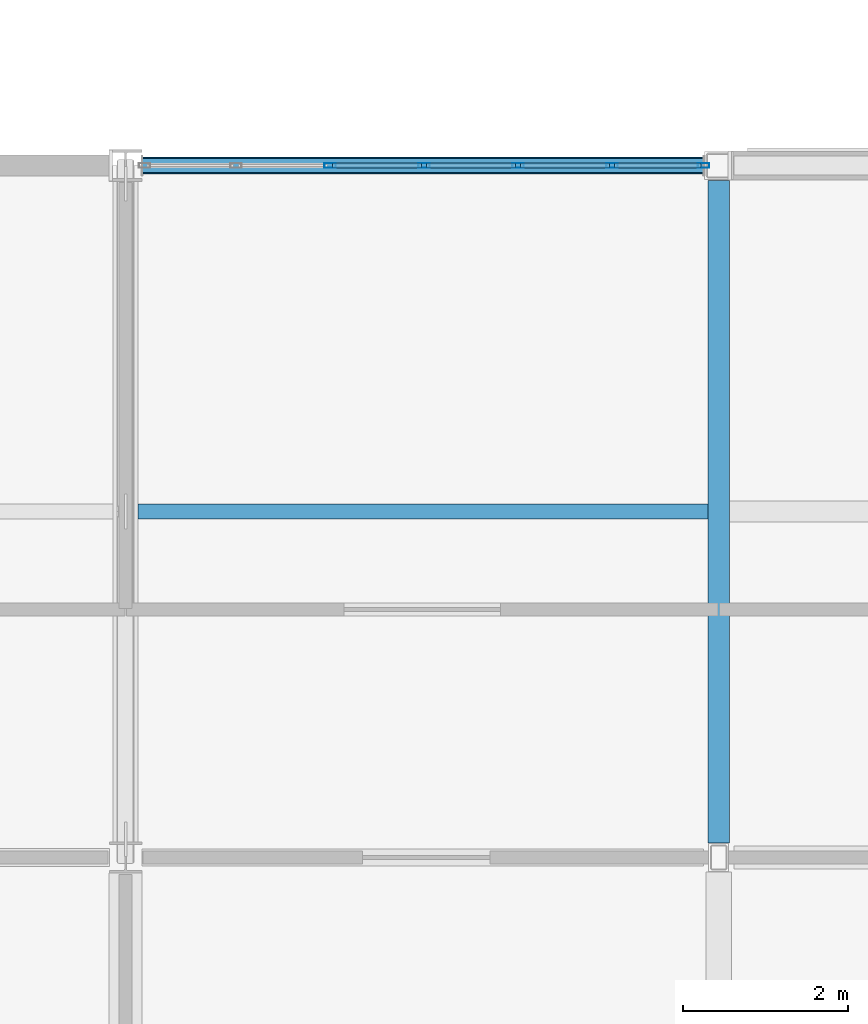
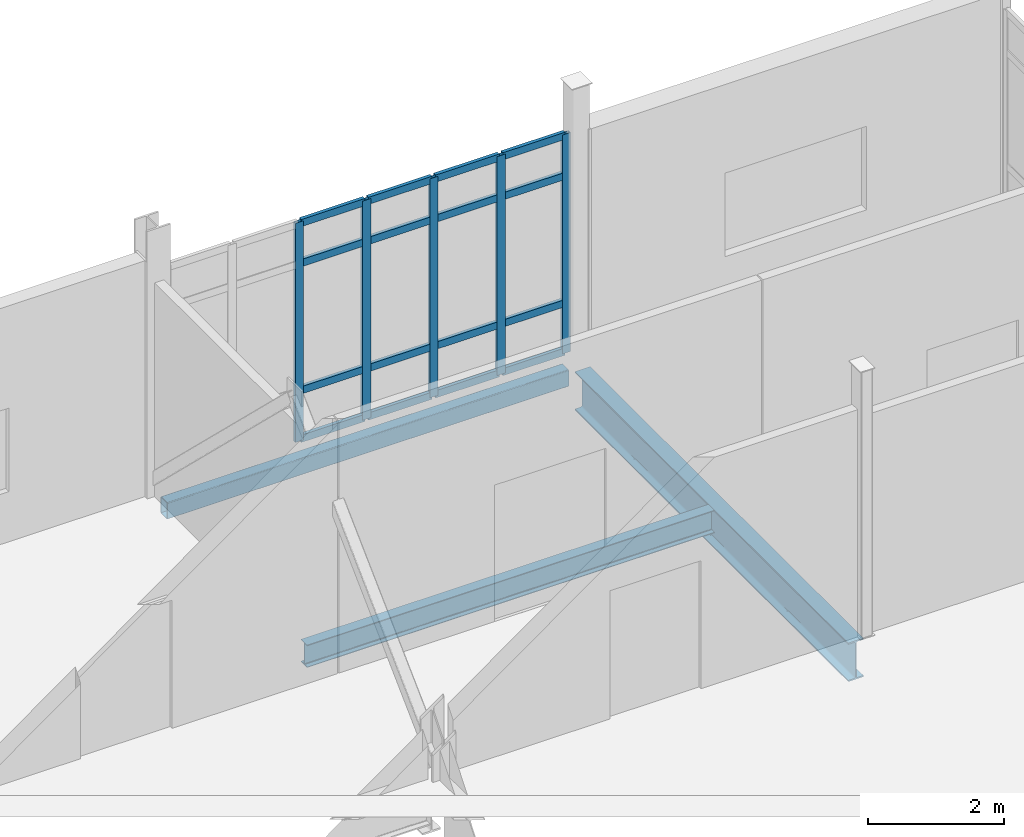
# One storey, part 86 of 153: 21 members, 3 beams, 1 element without a shape of its own.
"""IFC4 building model written with IfcOpenShell, lengths in metres."""

from ifc_helpers import new_model, si_unit, direction, frame, origin, origin_2d, place, context, subcontext, project, spatial, hollow_rectangle, i_section, extrude, material, layer, layer_set, material_profile, profile_set, type_object, element, aggregate, save


model = new_model("IFC4")

# Units and contexts
model_context = context("Model", 3, precision=1e-05, world=origin(), true_north=direction((0.0, 1.0)))
body_context = subcontext(model_context, "Body", "Model", "MODEL_VIEW")
ifc_project = project(units=[si_unit("LENGTHUNIT", "METRE"), si_unit("AREAUNIT", "SQUARE_METRE"), si_unit("VOLUMEUNIT", "CUBIC_METRE"), si_unit("PLANEANGLEUNIT", "RADIAN"), si_unit("MASSUNIT", "GRAM", prefix="KILO")], contexts=[model_context])

# Site, building, storey
site_placement = place(None, origin())
site = spatial("IfcSite", under=ifc_project, at=site_placement, CompositionType="ELEMENT")
building_placement = place(site_placement, origin())
building = spatial("IfcBuilding", under=site, at=building_placement, Name="Calvrana Isthmian Art Gallery", CompositionType="ELEMENT")
storey_placement = place(building_placement, frame((0.0, 0.0, 10.199951171875)))
storey = spatial("IfcBuildingStorey", under=building, at=storey_placement, Name="L02", CompositionType="ELEMENT", Elevation=10.199951171875)

# Beams
ifc_material_1 = material(Name="Steel ASTM A992 Gr 50", Category="steel")
ifc_material_profile_1 = material_profile(ifc_material_1, i_section(OverallWidth=0.257080078125, OverallDepth=0.693115234375, WebThickness=0.014404296875, FlangeThickness=0.023681640625, FilletRadius=0.02392578125, at=origin_2d()), Name="W27X114")
ifc_profile_set_1 = profile_set([ifc_material_profile_1], Name="Steel ASTM A992 Gr 50")
beam_type_1 = type_object("IfcBeamType", Name="BM-G-W27X114", PredefinedType="BEAM", material=ifc_profile_set_1)
beam_1_placement = place(storey_placement, frame((148.800048828125, 38.577880859375, -0.611572265625), z_axis=(0.0, 1.0, 0.0), x_axis=(-1.0, 0.0, 0.0)))
element("IfcBeam", 1, at=beam_1_placement, inside=storey, type_object=beam_type_1, Name="Girder Y L02 20/F-G", PredefinedType="BEAM", context=body_context, shape_type="SweptSolid", body=[
    extrude(i_section(OverallWidth=0.257080078125, OverallDepth=0.693115234375, WebThickness=0.014404296875, FlangeThickness=0.023681640625, FilletRadius=0.02392578125, at=origin_2d()), origin(), (0.0, 0.0, 1.0), 8.04052734375),
])
ifc_material_profile_2 = material_profile(ifc_material_1, i_section(OverallWidth=0.177978515625, OverallDepth=0.404052734375, WebThickness=0.007568359375, FlangeThickness=0.010986328125, FilletRadius=0.01806640625, at=origin_2d()), Name="W16X36")
ifc_profile_set_2 = profile_set([ifc_material_profile_2], Name="Steel ASTM A992 Gr 50")
beam_type_2 = type_object("IfcBeamType", Name="BM-J-W16X36", PredefinedType="JOIST", material=ifc_profile_set_2)
beam_2_placement = place(storey_placement, frame((141.75341796875, 42.60009765625, -0.467041015625), z_axis=(1.0, 0.0, 0.0), x_axis=(0.0, 1.0, 0.0)))
element("IfcBeam", 2, at=beam_2_placement, inside=storey, type_object=beam_type_2, Name="Composite joist L02 bay 18-05", PredefinedType="JOIST", context=body_context, shape_type="SweptSolid", body=[
    extrude(i_section(OverallWidth=0.177978515625, OverallDepth=0.404052734375, WebThickness=0.007568359375, FlangeThickness=0.010986328125, FilletRadius=0.01806640625, at=origin_2d()), origin(), (0.0, 0.0, 1.0), 6.91796875),
])
ifc_material_2 = material(Name="Steel ASTM A500 Gr C", Category="steel")
ifc_material_profile_3 = material_profile(ifc_material_2, hollow_rectangle(XDim=0.203125, YDim=0.3046875, WallThickness=0.0126953125, OuterFilletRadius=0.02490234375, at=origin_2d()), Name="HSS305X203X12.7")
ifc_profile_set_3 = profile_set([ifc_material_profile_3], Name="Steel ASTM A500 Gr C")
beam_type_3 = type_object("IfcBeamType", Name="BM-SP-HSS305", PredefinedType="SPANDREL", material=ifc_profile_set_3)
beam_3_placement = place(storey_placement, frame((141.798095703125, 46.800048828125, -0.417236328125), z_axis=(1.0, 0.0, 0.0), x_axis=(0.0, 1.0, 0.0)))
element("IfcBeam", 3, at=beam_3_placement, inside=storey, type_object=beam_type_3, Name="Girder X L02 19-20/G", PredefinedType="SPANDREL", context=body_context, shape_type="SweptSolid", body=[
    extrude(hollow_rectangle(XDim=0.203125, YDim=0.3046875, WallThickness=0.0126953125, OuterFilletRadius=0.02490234375, at=origin_2d()), origin(), (0.0, 0.0, 1.0), 6.81640625),
])

# Curtain wall, members
ifc_material_3 = material(Name="Anodized bronze aluminium 6063-T6", Category="aluminium")
ifc_layer = layer(ifc_material_3, 0.179931640625, Name="Anodized bronze aluminium 6063-T6")
ifc_layer_set = layer_set([ifc_layer], Name="Anodized bronze aluminium 6063-T6")
curtain_wall_type = type_object("IfcCurtainWallType", Name="CW-STICK-068X39", PredefinedType="NOTDEFINED", material=ifc_layer_set)
curtain_wall_placement = place(storey_placement, origin())
curtain_wall = element("IfcCurtainWall", 4, at=curtain_wall_placement, inside=storey, type_object=curtain_wall_type, Name="Curtain wall CW-156", PredefinedType="NOTDEFINED")
ifc_material_profile_4 = material_profile(ifc_material_3, hollow_rectangle(XDim=0.06005859375, YDim=0.139892578125, WallThickness=0.00390625, at=origin_2d()), Name="CWM60X140")
ifc_profile_set_4 = profile_set([ifc_material_profile_4], Name="Anodized bronze aluminium 6063-T6")
member_type_1 = type_object("IfcMemberType", Name="CWM-CWM60X140", PredefinedType="MULLION", material=ifc_profile_set_4)
member_1_placement = place(storey_placement, frame((144.082275390625, 46.800048828125, 0.0), z_axis=(0.0, 0.0, 1.0), x_axis=(0.0, 1.0, 0.0)))
member_1 = element("IfcMember", 5, at=member_1_placement, type_object=member_type_1, Name="CW-156 mullion 3", PredefinedType="MULLION", context=body_context, shape_type="SweptSolid", body=[
    extrude(hollow_rectangle(XDim=0.06005859375, YDim=0.139892578125, WallThickness=0.00390625, at=origin_2d()), origin(), (0.0, 0.0, 1.0), 3.93310546875),
])
member_2_placement = place(storey_placement, frame((145.2236328125, 46.800048828125, 0.0), z_axis=(0.0, 0.0, 1.0), x_axis=(0.0, 1.0, 0.0)))
member_2 = element("IfcMember", 6, at=member_2_placement, type_object=member_type_1, Name="CW-156 mullion 4", PredefinedType="MULLION", context=body_context, shape_type="SweptSolid", body=[
    extrude(hollow_rectangle(XDim=0.06005859375, YDim=0.139892578125, WallThickness=0.00390625, at=origin_2d()), origin(), (0.0, 0.0, 1.0), 3.93310546875),
])
member_3_placement = place(storey_placement, frame((146.364990234375, 46.800048828125, 0.0), z_axis=(0.0, 0.0, 1.0), x_axis=(0.0, 1.0, 0.0)))
member_3 = element("IfcMember", 7, at=member_3_placement, type_object=member_type_1, Name="CW-156 mullion 5", PredefinedType="MULLION", context=body_context, shape_type="SweptSolid", body=[
    extrude(hollow_rectangle(XDim=0.06005859375, YDim=0.139892578125, WallThickness=0.00390625, at=origin_2d()), origin(), (0.0, 0.0, 1.0), 3.93310546875),
])
member_4_placement = place(storey_placement, frame((147.50634765625, 46.800048828125, 0.0), z_axis=(0.0, 0.0, 1.0), x_axis=(0.0, 1.0, 0.0)))
member_4 = element("IfcMember", 8, at=member_4_placement, type_object=member_type_1, Name="CW-156 mullion 6", PredefinedType="MULLION", context=body_context, shape_type="SweptSolid", body=[
    extrude(hollow_rectangle(XDim=0.06005859375, YDim=0.139892578125, WallThickness=0.00390625, at=origin_2d()), origin(), (0.0, 0.0, 1.0), 3.93310546875),
])
member_5_placement = place(storey_placement, frame((148.61767578125, 46.800048828125, 0.0), z_axis=(0.0, 0.0, 1.0), x_axis=(0.0, 1.0, 0.0)))
member_5 = element("IfcMember", 9, at=member_5_placement, type_object=member_type_1, Name="CW-156 mullion 7", PredefinedType="MULLION", context=body_context, shape_type="SweptSolid", body=[
    extrude(hollow_rectangle(XDim=0.06005859375, YDim=0.139892578125, WallThickness=0.00390625, at=origin_2d()), origin(), (0.0, 0.0, 1.0), 3.93310546875),
])
ifc_material_profile_5 = material_profile(ifc_material_3, hollow_rectangle(XDim=0.06005859375, YDim=0.1298828125, WallThickness=0.00390625, at=origin_2d()), Name="CWT60X130")
ifc_profile_set_5 = profile_set([ifc_material_profile_5], Name="Anodized bronze aluminium 6063-T6")
member_type_2 = type_object("IfcMemberType", Name="CWT-CWT60X130", PredefinedType="USERDEFINED", material=ifc_profile_set_5)
member_6_placement = place(storey_placement, frame((144.1123046875, 46.800048828125, 0.030029296875), z_axis=(1.0, 0.0, 0.0), x_axis=(0.0, 1.0, 0.0)))
member_6 = element("IfcMember", 10, at=member_6_placement, type_object=member_type_2, Name="CW-156 transom 3.1", ObjectType="TRANSOM", PredefinedType="USERDEFINED", context=body_context, shape_type="SweptSolid", body=[
    extrude(hollow_rectangle(XDim=0.06005859375, YDim=0.1298828125, WallThickness=0.00390625, at=origin_2d()), origin(), (0.0, 0.0, 1.0), 1.081298828125),
])
member_7_placement = place(storey_placement, frame((144.1123046875, 46.800048828125, 0.900146484375), z_axis=(1.0, 0.0, 0.0), x_axis=(0.0, 1.0, 0.0)))
member_7 = element("IfcMember", 11, at=member_7_placement, type_object=member_type_2, Name="CW-156 transom 3.2", ObjectType="TRANSOM", PredefinedType="USERDEFINED", context=body_context, shape_type="SweptSolid", body=[
    extrude(hollow_rectangle(XDim=0.06005859375, YDim=0.1298828125, WallThickness=0.00390625, at=origin_2d()), origin(), (0.0, 0.0, 1.0), 1.081298828125),
])
member_8_placement = place(storey_placement, frame((144.1123046875, 46.800048828125, 3.18310546875), z_axis=(1.0, 0.0, 0.0), x_axis=(0.0, 1.0, 0.0)))
member_8 = element("IfcMember", 12, at=member_8_placement, type_object=member_type_2, Name="CW-156 transom 3.3", ObjectType="TRANSOM", PredefinedType="USERDEFINED", context=body_context, shape_type="SweptSolid", body=[
    extrude(hollow_rectangle(XDim=0.06005859375, YDim=0.1298828125, WallThickness=0.00390625, at=origin_2d()), origin(), (0.0, 0.0, 1.0), 1.081298828125),
])
member_9_placement = place(storey_placement, frame((144.1123046875, 46.800048828125, 3.903076171875), z_axis=(1.0, 0.0, 0.0), x_axis=(0.0, 1.0, 0.0)))
member_9 = element("IfcMember", 13, at=member_9_placement, type_object=member_type_2, Name="CW-156 transom 3.4", ObjectType="TRANSOM", PredefinedType="USERDEFINED", context=body_context, shape_type="SweptSolid", body=[
    extrude(hollow_rectangle(XDim=0.06005859375, YDim=0.1298828125, WallThickness=0.00390625, at=origin_2d()), origin(), (0.0, 0.0, 1.0), 1.081298828125),
])
member_10_placement = place(storey_placement, frame((145.253662109375, 46.800048828125, 0.030029296875), z_axis=(1.0, 0.0, 0.0), x_axis=(0.0, 1.0, 0.0)))
member_10 = element("IfcMember", 14, at=member_10_placement, type_object=member_type_2, Name="CW-156 transom 4.1", ObjectType="TRANSOM", PredefinedType="USERDEFINED", context=body_context, shape_type="SweptSolid", body=[
    extrude(hollow_rectangle(XDim=0.06005859375, YDim=0.1298828125, WallThickness=0.00390625, at=origin_2d()), origin(), (0.0, 0.0, 1.0), 1.081298828125),
])
member_11_placement = place(storey_placement, frame((145.253662109375, 46.800048828125, 0.900146484375), z_axis=(1.0, 0.0, 0.0), x_axis=(0.0, 1.0, 0.0)))
member_11 = element("IfcMember", 15, at=member_11_placement, type_object=member_type_2, Name="CW-156 transom 4.2", ObjectType="TRANSOM", PredefinedType="USERDEFINED", context=body_context, shape_type="SweptSolid", body=[
    extrude(hollow_rectangle(XDim=0.06005859375, YDim=0.1298828125, WallThickness=0.00390625, at=origin_2d()), origin(), (0.0, 0.0, 1.0), 1.081298828125),
])
member_12_placement = place(storey_placement, frame((145.253662109375, 46.800048828125, 3.18310546875), z_axis=(1.0, 0.0, 0.0), x_axis=(0.0, 1.0, 0.0)))
member_12 = element("IfcMember", 16, at=member_12_placement, type_object=member_type_2, Name="CW-156 transom 4.3", ObjectType="TRANSOM", PredefinedType="USERDEFINED", context=body_context, shape_type="SweptSolid", body=[
    extrude(hollow_rectangle(XDim=0.06005859375, YDim=0.1298828125, WallThickness=0.00390625, at=origin_2d()), origin(), (0.0, 0.0, 1.0), 1.081298828125),
])
member_13_placement = place(storey_placement, frame((145.253662109375, 46.800048828125, 3.903076171875), z_axis=(1.0, 0.0, 0.0), x_axis=(0.0, 1.0, 0.0)))
member_13 = element("IfcMember", 17, at=member_13_placement, type_object=member_type_2, Name="CW-156 transom 4.4", ObjectType="TRANSOM", PredefinedType="USERDEFINED", context=body_context, shape_type="SweptSolid", body=[
    extrude(hollow_rectangle(XDim=0.06005859375, YDim=0.1298828125, WallThickness=0.00390625, at=origin_2d()), origin(), (0.0, 0.0, 1.0), 1.081298828125),
])
member_14_placement = place(storey_placement, frame((146.39501953125, 46.800048828125, 0.030029296875), z_axis=(1.0, 0.0, 0.0), x_axis=(0.0, 1.0, 0.0)))
member_14 = element("IfcMember", 18, at=member_14_placement, type_object=member_type_2, Name="CW-156 transom 5.1", ObjectType="TRANSOM", PredefinedType="USERDEFINED", context=body_context, shape_type="SweptSolid", body=[
    extrude(hollow_rectangle(XDim=0.06005859375, YDim=0.1298828125, WallThickness=0.00390625, at=origin_2d()), origin(), (0.0, 0.0, 1.0), 1.081298828125),
])
member_15_placement = place(storey_placement, frame((146.39501953125, 46.800048828125, 0.900146484375), z_axis=(1.0, 0.0, 0.0), x_axis=(0.0, 1.0, 0.0)))
member_15 = element("IfcMember", 19, at=member_15_placement, type_object=member_type_2, Name="CW-156 transom 5.2", ObjectType="TRANSOM", PredefinedType="USERDEFINED", context=body_context, shape_type="SweptSolid", body=[
    extrude(hollow_rectangle(XDim=0.06005859375, YDim=0.1298828125, WallThickness=0.00390625, at=origin_2d()), origin(), (0.0, 0.0, 1.0), 1.081298828125),
])
member_16_placement = place(storey_placement, frame((146.39501953125, 46.800048828125, 3.18310546875), z_axis=(1.0, 0.0, 0.0), x_axis=(0.0, 1.0, 0.0)))
member_16 = element("IfcMember", 20, at=member_16_placement, type_object=member_type_2, Name="CW-156 transom 5.3", ObjectType="TRANSOM", PredefinedType="USERDEFINED", context=body_context, shape_type="SweptSolid", body=[
    extrude(hollow_rectangle(XDim=0.06005859375, YDim=0.1298828125, WallThickness=0.00390625, at=origin_2d()), origin(), (0.0, 0.0, 1.0), 1.081298828125),
])
member_17_placement = place(storey_placement, frame((146.39501953125, 46.800048828125, 3.903076171875), z_axis=(1.0, 0.0, 0.0), x_axis=(0.0, 1.0, 0.0)))
member_17 = element("IfcMember", 21, at=member_17_placement, type_object=member_type_2, Name="CW-156 transom 5.4", ObjectType="TRANSOM", PredefinedType="USERDEFINED", context=body_context, shape_type="SweptSolid", body=[
    extrude(hollow_rectangle(XDim=0.06005859375, YDim=0.1298828125, WallThickness=0.00390625, at=origin_2d()), origin(), (0.0, 0.0, 1.0), 1.081298828125),
])
member_18_placement = place(storey_placement, frame((147.5361328125, 46.800048828125, 0.030029296875), z_axis=(1.0, 0.0, 0.0), x_axis=(0.0, 1.0, 0.0)))
member_18 = element("IfcMember", 22, at=member_18_placement, type_object=member_type_2, Name="CW-156 transom 6.1", ObjectType="TRANSOM", PredefinedType="USERDEFINED", context=body_context, shape_type="SweptSolid", body=[
    extrude(hollow_rectangle(XDim=0.06005859375, YDim=0.1298828125, WallThickness=0.00390625, at=origin_2d()), origin(), (0.0, 0.0, 1.0), 1.051513671875),
])
member_19_placement = place(storey_placement, frame((147.5361328125, 46.800048828125, 0.900146484375), z_axis=(1.0, 0.0, 0.0), x_axis=(0.0, 1.0, 0.0)))
member_19 = element("IfcMember", 23, at=member_19_placement, type_object=member_type_2, Name="CW-156 transom 6.2", ObjectType="TRANSOM", PredefinedType="USERDEFINED", context=body_context, shape_type="SweptSolid", body=[
    extrude(hollow_rectangle(XDim=0.06005859375, YDim=0.1298828125, WallThickness=0.00390625, at=origin_2d()), origin(), (0.0, 0.0, 1.0), 1.051513671875),
])
member_20_placement = place(storey_placement, frame((147.5361328125, 46.800048828125, 3.18310546875), z_axis=(1.0, 0.0, 0.0), x_axis=(0.0, 1.0, 0.0)))
member_20 = element("IfcMember", 24, at=member_20_placement, type_object=member_type_2, Name="CW-156 transom 6.3", ObjectType="TRANSOM", PredefinedType="USERDEFINED", context=body_context, shape_type="SweptSolid", body=[
    extrude(hollow_rectangle(XDim=0.06005859375, YDim=0.1298828125, WallThickness=0.00390625, at=origin_2d()), origin(), (0.0, 0.0, 1.0), 1.051513671875),
])
member_21_placement = place(storey_placement, frame((147.5361328125, 46.800048828125, 3.903076171875), z_axis=(1.0, 0.0, 0.0), x_axis=(0.0, 1.0, 0.0)))
member_21 = element("IfcMember", 25, at=member_21_placement, type_object=member_type_2, Name="CW-156 transom 6.4", ObjectType="TRANSOM", PredefinedType="USERDEFINED", context=body_context, shape_type="SweptSolid", body=[
    extrude(hollow_rectangle(XDim=0.06005859375, YDim=0.1298828125, WallThickness=0.00390625, at=origin_2d()), origin(), (0.0, 0.0, 1.0), 1.051513671875),
])
aggregate(curtain_wall, [member_1, member_2, member_3, member_4, member_5, member_6, member_7, member_8, member_9, member_10, member_11, member_12, member_13, member_14, member_15, member_16, member_17, member_18, member_19, member_20, member_21])

save(model, "model.ifc")
